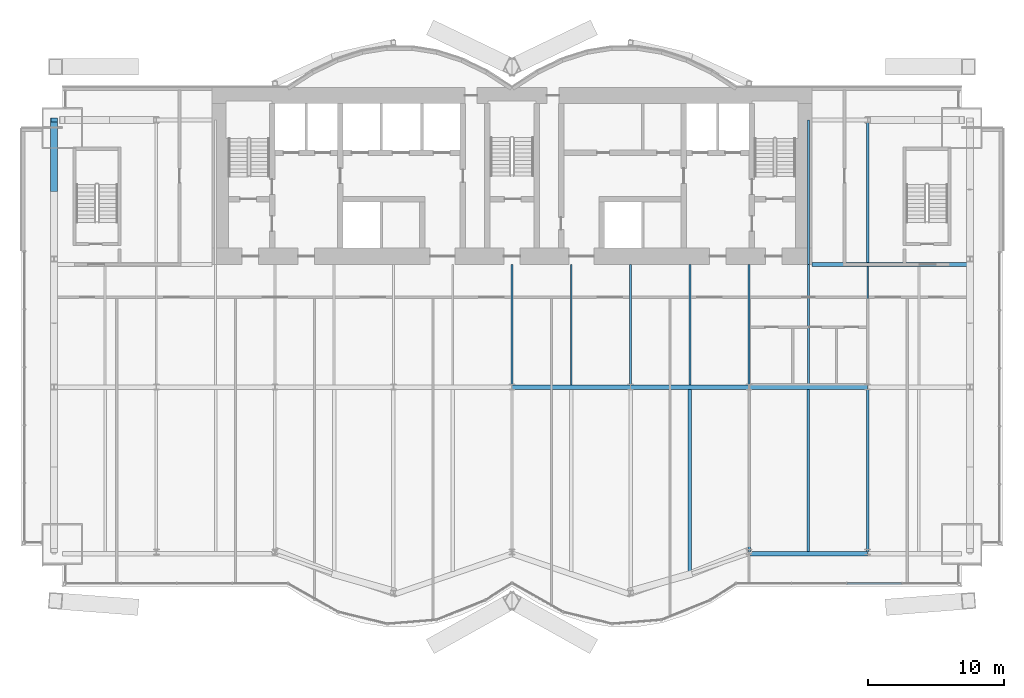
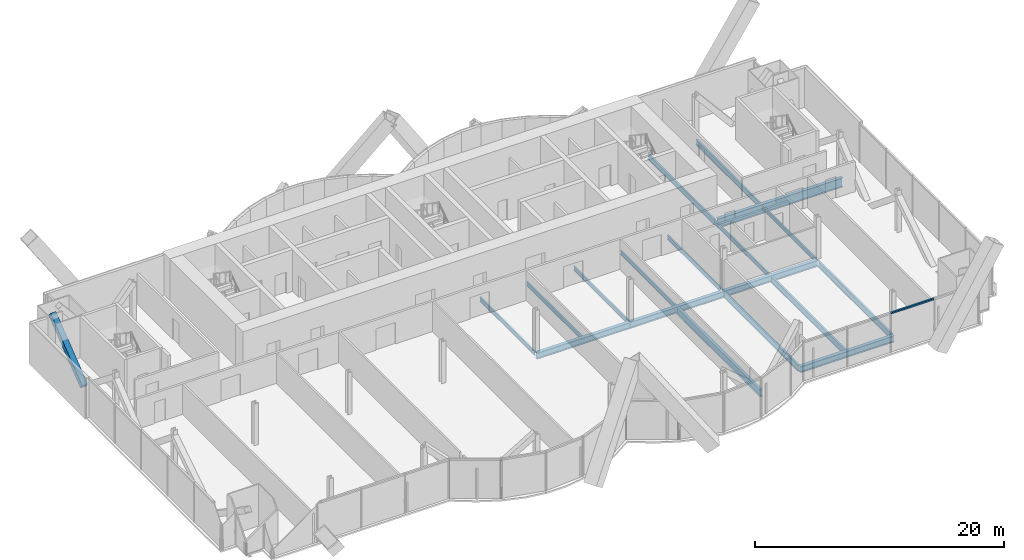
# One storey, part 9 of 21: 18 beams, 2 members, 1 element without a shape of its own.
"""IFC4 building model written with IfcOpenShell, lengths in metres."""

from ifc_helpers import new_model, si_unit, direction, frame, origin, origin_2d, place, context, subcontext, project, spatial, rectangle, hollow_rectangle, i_section, extrude, material, material_profile, profile_set, type_object, element, aggregate, save


model = new_model("IFC4")

# Units and contexts
model_context = context("Model", 3, precision=1e-05, world=origin(), true_north=direction((0.0, 1.0)))
body_context = subcontext(model_context, "Body", "Model", "MODEL_VIEW")
ifc_project = project(units=[si_unit("LENGTHUNIT", "METRE"), si_unit("AREAUNIT", "SQUARE_METRE"), si_unit("VOLUMEUNIT", "CUBIC_METRE"), si_unit("PLANEANGLEUNIT", "RADIAN"), si_unit("MASSUNIT", "GRAM", prefix="KILO")], contexts=[model_context])

# Site, building, storey
site_placement = place(None, origin())
site = spatial("IfcSite", under=ifc_project, at=site_placement, CompositionType="ELEMENT")
building_placement = place(site_placement, origin())
building = spatial("IfcBuilding", under=site, at=building_placement, Name="Bicima Exchange Tower", CompositionType="ELEMENT")
storey_placement = place(building_placement, frame((0.0, 0.0, 130.89990234375)))
storey = spatial("IfcBuildingStorey", under=building, at=storey_placement, Name="L28", CompositionType="ELEMENT", Elevation=130.89990234375)

# Beams
ifc_material_1 = material(Name="Steel ASTM A992 Gr 50", Category="steel")
ifc_material_profile_1 = material_profile(ifc_material_1, i_section(OverallWidth=0.3046875, OverallDepth=0.911865234375, WebThickness=0.015869140625, FlangeThickness=0.02392578125, at=origin_2d()))
ifc_profile_set_1 = profile_set([ifc_material_profile_1], Name="Steel ASTM A992 Gr 50")
beam_type_1 = type_object("IfcBeamType", Name="Core-line girder W36x150", PredefinedType="BEAM", material=ifc_profile_set_1)
beam_1_placement = place(storey_placement, frame((22.0, -13.0, -0.605712890625), z_axis=(1.0, 0.0, 0.0), x_axis=(0.0, 1.0, 0.0)))
element("IfcBeam", 1, at=beam_1_placement, inside=storey, type_object=beam_type_1, Name="Core-line girder", PredefinedType="BEAM", context=body_context, shape_type="SweptSolid", body=[
    extrude(i_section(OverallWidth=0.3046875, OverallDepth=0.911865234375, WebThickness=0.015869140625, FlangeThickness=0.02392578125, at=origin_2d()), origin(), (0.0, 0.0, 1.0), 11.60009765625),
])
ifc_material_profile_2 = material_profile(ifc_material_1, i_section(OverallWidth=0.140380859375, OverallDepth=0.40380859375, WebThickness=0.007080078125, FlangeThickness=0.01123046875, at=origin_2d()))
ifc_profile_set_2 = profile_set([ifc_material_profile_2], Name="Steel ASTM A992 Gr 50")
beam_type_2 = type_object("IfcBeamType", Name="Floor beam W16x31", PredefinedType="JOIST", material=ifc_profile_set_2)
for number, where, z_axis, x_axis, name in (
    (2, (0.0, -13.0, -0.351806640625), (0.0, -1.0, 0.0), (1.0, 0.0, 0.0), "Floor beam"),
    (3, (4.35009765625, -13.0, -0.351806640625), (0.0, -1.0, 0.0), (1.0, 0.0, 0.0), "Floor beam"),
    (4, (8.699951171875, -13.0, -0.351806640625), (0.0, -1.0, 0.0), (1.0, 0.0, 0.0), "Floor beam"),
    (5, (13.050048828125, -13.0, -0.351806640625), (0.0, -1.0, 0.0), (1.0, 0.0, 0.0), "Floor beam"),
    (6, (17.39990234375, -13.0, -0.351806640625), (0.0, -1.0, 0.0), (1.0, 0.0, 0.0), "Floor beam"),
    (7, (21.75, -13.0, -0.351806640625), (0.0, -1.0, 0.0), (1.0, 0.0, 0.0), "Floor beam"),
):
    element("IfcBeam", number, at=place(storey_placement, frame(where, z_axis=z_axis, x_axis=x_axis)), inside=storey, type_object=beam_type_2, Name=name, PredefinedType="JOIST", context=body_context, shape_type="SweptSolid", body=[
        extrude(i_section(OverallWidth=0.140380859375, OverallDepth=0.40380859375, WebThickness=0.007080078125, FlangeThickness=0.01123046875, at=origin_2d()), origin(), (0.0, 0.0, 1.0), 8.83740234375),
    ])
beam_2_placement = place(storey_placement, frame((26.10009765625, -13.15234375, -0.351806640625), z_axis=(0.0, -1.0, 0.0), x_axis=(1.0, 0.0, 0.0)))
element("IfcBeam", 8, at=beam_2_placement, inside=storey, type_object=beam_type_2, Name="Floor beam", PredefinedType="JOIST", context=body_context, shape_type="SweptSolid", body=[
    extrude(i_section(OverallWidth=0.140380859375, OverallDepth=0.40380859375, WebThickness=0.007080078125, FlangeThickness=0.01123046875, at=origin_2d()), origin(), (0.0, 0.0, 1.0), 8.68505859375),
])
ifc_material_profile_3 = material_profile(ifc_material_1, i_section(OverallWidth=0.165771484375, OverallDepth=0.5283203125, WebThickness=0.009765625, FlangeThickness=0.013671875, at=origin_2d()))
ifc_profile_set_3 = profile_set([ifc_material_profile_3], Name="Steel ASTM A992 Gr 50")
beam_type_3 = type_object("IfcBeamType", Name="Floor beam W21x50", PredefinedType="JOIST", material=ifc_profile_set_3)
beam_3_placement = place(storey_placement, frame((21.75, -2.39990234375, -0.4140625), z_axis=(0.0, -1.0, 0.0), x_axis=(1.0, 0.0, 0.0)))
element("IfcBeam", 9, at=beam_3_placement, inside=storey, type_object=beam_type_3, Name="Floor beam", PredefinedType="JOIST", context=body_context, shape_type="SweptSolid", body=[
    extrude(i_section(OverallWidth=0.165771484375, OverallDepth=0.5283203125, WebThickness=0.009765625, FlangeThickness=0.013671875, at=origin_2d()), origin(), (0.0, 0.0, 1.0), 10.60009765625),
])
beam_4_placement = place(storey_placement, frame((26.10009765625, -2.5625, -0.4140625), z_axis=(0.0, -1.0, 0.0), x_axis=(1.0, 0.0, 0.0)))
element("IfcBeam", 10, at=beam_4_placement, inside=storey, type_object=beam_type_3, Name="Floor beam", PredefinedType="JOIST", context=body_context, shape_type="SweptSolid", body=[
    extrude(i_section(OverallWidth=0.165771484375, OverallDepth=0.5283203125, WebThickness=0.009765625, FlangeThickness=0.013671875, at=origin_2d()), origin(), (0.0, 0.0, 1.0), 10.28515625),
])
ifc_material_profile_4 = material_profile(ifc_material_1, i_section(OverallWidth=0.177978515625, OverallDepth=0.599365234375, WebThickness=0.010009765625, FlangeThickness=0.012939453125, at=origin_2d()))
ifc_profile_set_4 = profile_set([ifc_material_profile_4], Name="Steel ASTM A992 Gr 50")
beam_type_4 = type_object("IfcBeamType", Name="Floor beam W24x55", PredefinedType="JOIST", material=ifc_profile_set_4)
beam_5_placement = place(storey_placement, frame((17.39990234375, -22.16259765625, -0.44970703125), z_axis=(0.0, -1.0, 0.0), x_axis=(1.0, 0.0, 0.0)))
element("IfcBeam", 11, at=beam_5_placement, inside=storey, type_object=beam_type_4, Name="Floor beam", PredefinedType="JOIST", context=body_context, shape_type="SweptSolid", body=[
    extrude(i_section(OverallWidth=0.177978515625, OverallDepth=0.599365234375, WebThickness=0.010009765625, FlangeThickness=0.012939453125, at=origin_2d()), origin(), (0.0, 0.0, 1.0), 11.933837890625),
])
for number, where, z_axis, x_axis, name in (
    (12, (21.75, -22.16259765625, -0.44970703125), (0.0, -1.0, 0.0), (1.0, 0.0, 0.0), "Floor beam"),
    (13, (26.10009765625, -22.16259765625, -0.44970703125), (0.0, -1.0, 0.0), (1.0, 0.0, 0.0), "Floor beam"),
):
    element("IfcBeam", number, at=place(storey_placement, frame(where, z_axis=z_axis, x_axis=x_axis)), inside=storey, type_object=beam_type_4, Name=name, PredefinedType="JOIST", context=body_context, shape_type="SweptSolid", body=[
        extrude(i_section(OverallWidth=0.177978515625, OverallDepth=0.599365234375, WebThickness=0.010009765625, FlangeThickness=0.012939453125, at=origin_2d()), origin(), (0.0, 0.0, 1.0), 11.90673828125),
    ])
ifc_material_profile_5 = material_profile(ifc_material_1, i_section(OverallWidth=0.25390625, OverallDepth=0.67822265625, WebThickness=0.01171875, FlangeThickness=0.016357421875, at=origin_2d()))
ifc_profile_set_5 = profile_set([ifc_material_profile_5], Name="Steel ASTM A992 Gr 50")
beam_type_5 = type_object("IfcBeamType", Name="Floor beam W27x84", PredefinedType="JOIST", material=ifc_profile_set_5)
beam_6_placement = place(storey_placement, frame((13.050048828125, -22.16259765625, -0.489013671875), z_axis=(0.0, -1.0, 0.0), x_axis=(1.0, 0.0, 0.0)))
element("IfcBeam", 14, at=beam_6_placement, inside=storey, type_object=beam_type_5, Name="Floor beam", PredefinedType="JOIST", context=body_context, shape_type="SweptSolid", body=[
    extrude(i_section(OverallWidth=0.25390625, OverallDepth=0.67822265625, WebThickness=0.01171875, FlangeThickness=0.016357421875, at=origin_2d()), origin(), (0.0, 0.0, 1.0), 13.42919921875),
])
ifc_material_profile_6 = material_profile(ifc_material_1, i_section(OverallWidth=0.3251953125, OverallDepth=0.612060546875, WebThickness=0.0126953125, FlangeThickness=0.01904296875, at=origin_2d()))
ifc_profile_set_6 = profile_set([ifc_material_profile_6], Name="Steel ASTM A992 Gr 50")
beam_type_6 = type_object("IfcBeamType", Name="Front girder W24x104", PredefinedType="BEAM", material=ifc_profile_set_6)
beam_7_placement = place(storey_placement, frame((17.39990234375, -34.23193359375, -0.4560546875), z_axis=(1.0, 0.0, 0.0), x_axis=(0.0, 1.0, 0.0)))
element("IfcBeam", 15, at=beam_7_placement, inside=storey, type_object=beam_type_6, Name="Front girder", PredefinedType="BEAM", context=body_context, shape_type="SweptSolid", body=[
    extrude(i_section(OverallWidth=0.3251953125, OverallDepth=0.612060546875, WebThickness=0.0126953125, FlangeThickness=0.01904296875, at=origin_2d()), origin(), (0.0, 0.0, 1.0), 8.7001953125),
])

# Curtain wall, member
ifc_material_2 = material(Name="Anodised bronze aluminium", Category="aluminium")
curtain_wall_type = type_object("IfcCurtainWallType", Name="Front glass wall", PredefinedType="NOTDEFINED", material=ifc_material_2)
curtain_wall_placement = place(storey_placement, origin())
curtain_wall = element("IfcCurtainWall", 16, at=curtain_wall_placement, inside=storey, type_object=curtain_wall_type, Name="Front glass wall L28 run 16", PredefinedType="NOTDEFINED")
ifc_material_profile_7 = material_profile(ifc_material_2, rectangle(XDim=0.159912109375, YDim=0.139892578125, at=origin_2d()))
ifc_profile_set_7 = profile_set([ifc_material_profile_7], Name="Anodised bronze aluminium")
member_type_1 = type_object("IfcMemberType", Name="Front glass wall transom 140 x 160", PredefinedType="USERDEFINED", material=ifc_profile_set_7)
member_1_placement = place(storey_placement, frame((24.591064453125, -36.402099609375, 3.830078125), z_axis=(1.0, 0.0, 0.0), x_axis=(0.0, 1.0, 0.0)))
member_1 = element("IfcMember", 17, at=member_1_placement, type_object=member_type_1, Name="Front glass wall transom 3.1", ObjectType="TRANSOM", PredefinedType="USERDEFINED", context=body_context, shape_type="SweptSolid", body=[
    extrude(rectangle(XDim=0.159912109375, YDim=0.139892578125, at=origin_2d()), origin(), (0.0, 0.0, 1.0), 3.989501953125),
])
aggregate(curtain_wall, [member_1])

# Member
ifc_material_3 = material(Name="Steel ASTM A572 Gr 50", Category="steel")
ifc_material_profile_8 = material_profile(ifc_material_3, hollow_rectangle(XDim=0.508056640625, YDim=0.508056640625, WallThickness=0.0146484375, at=origin_2d()))
ifc_profile_set_8 = profile_set([ifc_material_profile_8], Name="Steel ASTM A572 Gr 50")
member_type_2 = type_object("IfcMemberType", Name="Mega brace HSS20x20x5/8", PredefinedType="BRACE", material=ifc_profile_set_8)
member_2_placement = place(storey_placement, frame((-33.60009765625, -7.5, -0.49658203125), z_axis=(0.0, 0.783112995316, 0.621879438932), x_axis=(-1.0, 0.0, 0.0)))
element("IfcMember", 18, at=member_2_placement, inside=storey, type_object=member_type_2, Name="Mega brace west end", PredefinedType="BRACE", context=body_context, shape_type="SweptSolid", body=[
    extrude(hollow_rectangle(XDim=0.508056640625, YDim=0.508056640625, WallThickness=0.0146484375, at=origin_2d()), origin(), (0.0, 0.0, 1.0), 6.5126953125),
])

# Beams
beam_type_7 = type_object("IfcBeamType", Name="Row girder W24x104", PredefinedType="BEAM", material=ifc_profile_set_6)
for number, where, z_axis, x_axis, name in (
    (19, (0.0, -22.0, -0.4560546875), (1.0, 0.0, 0.0), (0.0, 1.0, 0.0), "Row girder"),
    (20, (8.699951171875, -22.0, -0.4560546875), (1.0, 0.0, 0.0), (0.0, 1.0, 0.0), "Row girder"),
):
    element("IfcBeam", number, at=place(storey_placement, frame(where, z_axis=z_axis, x_axis=x_axis)), inside=storey, type_object=beam_type_7, Name=name, PredefinedType="BEAM", context=body_context, shape_type="SweptSolid", body=[
        extrude(i_section(OverallWidth=0.3251953125, OverallDepth=0.612060546875, WebThickness=0.0126953125, FlangeThickness=0.01904296875, at=origin_2d()), origin(), (0.0, 0.0, 1.0), 8.699951171875),
    ])
beam_8_placement = place(storey_placement, frame((17.39990234375, -22.0, -0.4560546875), z_axis=(1.0, 0.0, 0.0), x_axis=(0.0, 1.0, 0.0)))
element("IfcBeam", 21, at=beam_8_placement, inside=storey, type_object=beam_type_7, Name="Row girder", PredefinedType="BEAM", context=body_context, shape_type="SweptSolid", body=[
    extrude(i_section(OverallWidth=0.3251953125, OverallDepth=0.612060546875, WebThickness=0.0126953125, FlangeThickness=0.01904296875, at=origin_2d()), origin(), (0.0, 0.0, 1.0), 8.7001953125),
])

save(model, "model.ifc")
